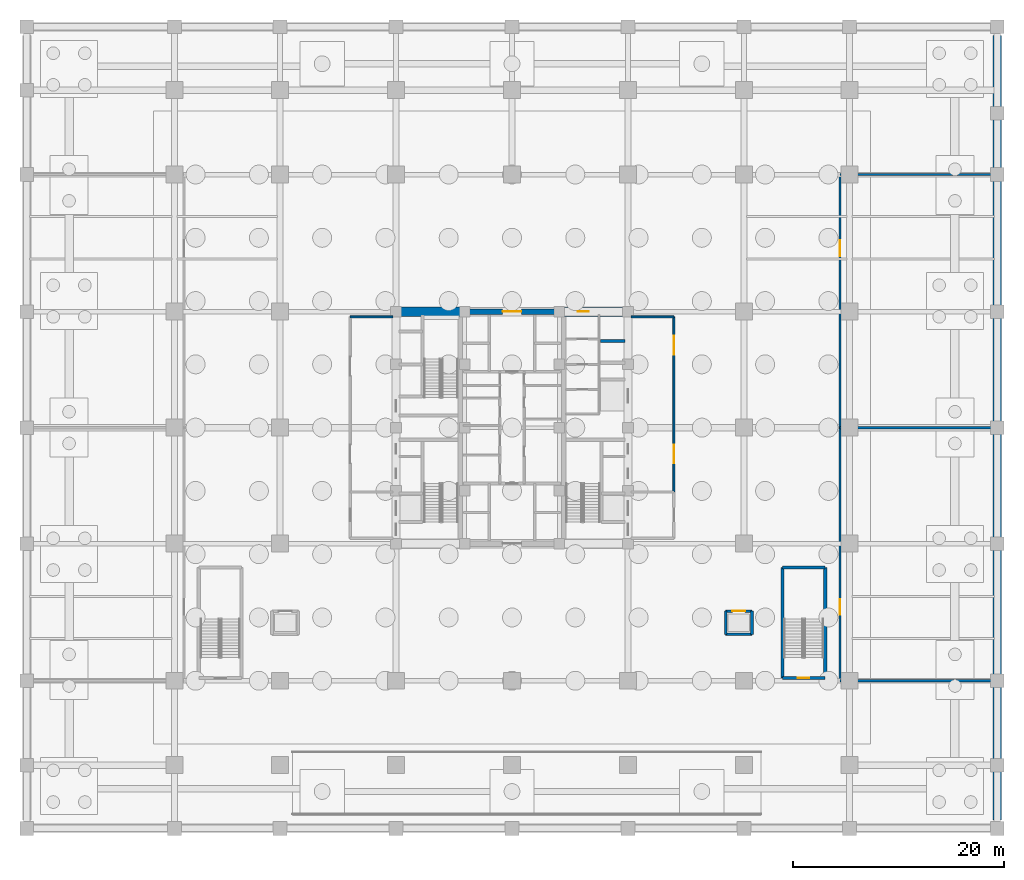
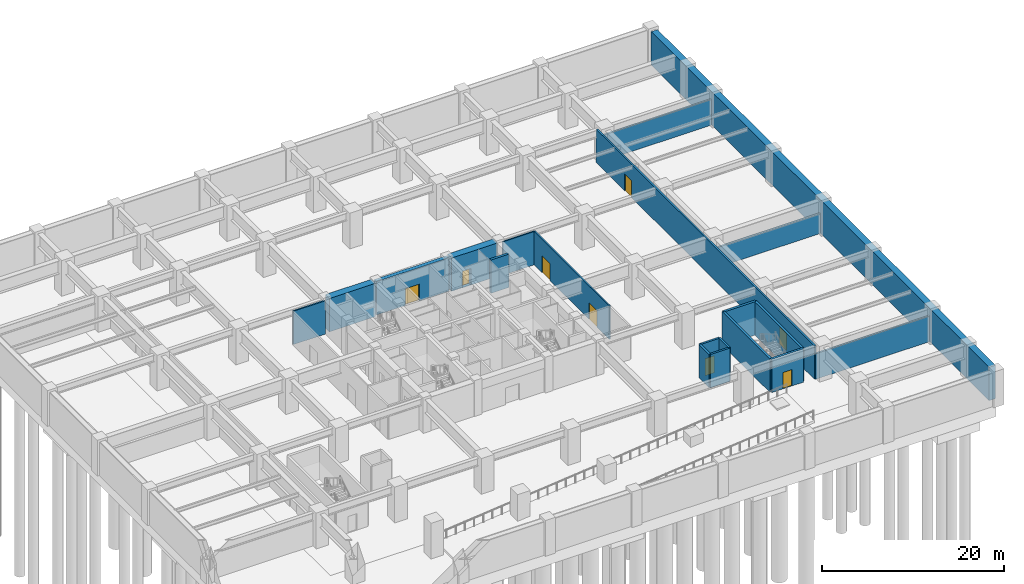
# One storey, part 7 of 13: 20 walls, 8 doors, 8 openings.
"""IFC4 building model written with IfcOpenShell, lengths in metres."""

from ifc_helpers import new_model, si_unit, direction, frame, frame_2d, origin, place, context, subcontext, project, spatial, rectangle, extrude, source, transform, mapped, material, layer, layer_set, type_object, element, fill, save


model = new_model("IFC4")

# Units and contexts
model_context = context("Model", 3, precision=1e-05, world=origin(), true_north=direction((0.0, 1.0)))
body_context = subcontext(model_context, "Body", "Model", "MODEL_VIEW")
ifc_project = project(units=[si_unit("LENGTHUNIT", "METRE"), si_unit("AREAUNIT", "SQUARE_METRE"), si_unit("VOLUMEUNIT", "CUBIC_METRE"), si_unit("PLANEANGLEUNIT", "RADIAN"), si_unit("MASSUNIT", "GRAM", prefix="KILO")], contexts=[model_context])

# Site, building, storey
site_placement = place(None, origin())
site = spatial("IfcSite", under=ifc_project, at=site_placement, CompositionType="ELEMENT")
building_placement = place(site_placement, origin())
building = spatial("IfcBuilding", under=site, at=building_placement, Name="Khorayat Bourse Tower", CompositionType="ELEMENT")
storey_placement = place(building_placement, frame((0.0, 0.0, -9.60009765625)))
storey = spatial("IfcBuildingStorey", under=building, at=storey_placement, Name="B02", CompositionType="ELEMENT", Elevation=-9.60009765625)

# Walls
ifc_material_1 = material(Name="Concrete C50/60", Category="concrete")
ifc_layer_1 = layer(ifc_material_1, 0.800048828125)
ifc_layer_set_1 = layer_set([ifc_layer_1], Name="Concrete C50/60")
wall_type_1 = type_object("IfcWallType", Name="WAL-RET-800", PredefinedType="USERDEFINED", material=ifc_layer_set_1)
shared_shape_1 = source(origin(), body_context, "Body", "SweptSolid", [
    extrude(rectangle(XDim=74.39990234375, YDim=0.800048828125, at=frame_2d((37.199951171875, 0.0))), origin(), (0.0, 0.0, 1.0), 4.47998046875),
])
wall_1_placement = place(storey_placement, frame((46.0, -37.199951171875, 0.0), z_axis=(0.0, 0.0, 1.0), x_axis=(0.0, 1.0, 0.0)))
element("IfcWall", 1, at=wall_1_placement, inside=storey, type_object=wall_type_1, Name="B02 Perimeter Retaining Wall E", ObjectType="RETAINING WALL", PredefinedType="USERDEFINED", context=body_context, shape_type="MappedRepresentation", body=[
    mapped(shared_shape_1, transform((0.0, 0.0, 0.0), scale=1.0)),
])
ifc_material_2 = material(Name="Concrete C72/90", Category="concrete")
ifc_layer_2 = layer(ifc_material_2, 0.89990234375)
ifc_layer_set_2 = layer_set([ifc_layer_2], Name="Concrete C72/90")
wall_type_2 = type_object("IfcWallType", Name="WAL-CORE-900", PredefinedType="SHEAR", material=ifc_layer_set_2)
shared_shape_2 = source(origin(), body_context, "Body", "SweptSolid", [
    extrude(rectangle(XDim=5.849853515625, YDim=0.89990234375, at=frame_2d((2.9248046875, 0.0))), origin(), (0.0, 0.0, 1.0), 4.47998046875),
])
wall_2_placement = place(storey_placement, frame((-10.699951171875, 11.0, 0.0), z_axis=(0.0, 0.0, 1.0), x_axis=(1.0, 0.0, 0.0)))
element("IfcWall", 2, at=wall_2_placement, inside=storey, type_object=wall_type_2, Name="B02 Core Shear Wall PIER-WN", PredefinedType="SHEAR", context=body_context, shape_type="MappedRepresentation", body=[
    mapped(shared_shape_2, transform((0.0, 0.0, 0.0), scale=1.0)),
])

# Wall, opening, door
wall_3_placement = place(storey_placement, frame((4.85009765625, 11.0, 0.0), z_axis=(0.0, 0.0, 1.0), x_axis=(1.0, 0.0, 0.0)))
wall_3 = element("IfcWall", 3, at=wall_3_placement, inside=storey, type_object=wall_type_2, Name="B02 Core Shear Wall PIER-EN", PredefinedType="SHEAR", context=body_context, shape_type="MappedRepresentation", body=[
    mapped(shared_shape_2, transform((0.0, 0.0, 0.0), scale=1.0)),
])
shared_shape_3 = source(origin(), body_context, "Body", "SweptSolid", [
    extrude(rectangle(XDim=1.050048828125, YDim=2.199951171875, at=frame_2d((0.52490234375, 1.10009765625))), frame((0.0, 0.4599609375, 0.0), z_axis=(0.0, -1.0, 0.0), x_axis=(1.0, 0.0, 0.0)), (0.0, 0.0, 1.0), 0.919921875),
])
opening_1_placement = place(wall_3_placement, frame((1.375, 0.0, 0.0)))
opening_1 = element("IfcOpeningElement", 4, at=opening_1_placement, cuts=wall_3, Name="Opening DI-04", PredefinedType="OPENING", context=body_context, shape_type="MappedRepresentation", body=[
    mapped(shared_shape_3, transform((0.0, 0.0, 0.0), scale=1.0)),
])
ifc_material_3 = material(Name="Fire-rated oak veneer suite entrance door")
door_type_1 = type_object("IfcDoorType", Name="DR-INT-SUITE-1050", OperationType="NOTDEFINED", PredefinedType="DOOR", material=ifc_material_3)
shared_shape_4 = source(origin(), body_context, "Body", "SweptSolid", [
    extrude(rectangle(XDim=1.050048828125, YDim=2.199951171875, at=frame_2d((0.52490234375, 1.10009765625))), frame((0.0, 0.02490234375, 0.0), z_axis=(0.0, -1.0, 0.0), x_axis=(1.0, 0.0, 0.0)), (0.0, 0.0, 1.0), 0.050048828125),
])
door_1_placement = place(opening_1_placement, origin())
door_1 = element("IfcDoor", 5, at=door_1_placement, inside=storey, type_object=door_type_1, Name="B02 Core Washroom Lobby Door", OperationType="SINGLE_SWING_LEFT", OverallHeight=2.199951171875, OverallWidth=1.050048828125, PredefinedType="DOOR", context=body_context, shape_type="MappedRepresentation", body=[
    mapped(shared_shape_4, transform((0.0, 0.0, 0.0), scale=1.0)),
])
fill(opening_1, door_1)

ifc_material_4 = material(Name="Concrete C52/65", Category="concrete")
ifc_layer_3 = layer(ifc_material_4, 0.5)
ifc_layer_set_3 = layer_set([ifc_layer_3], Name="Concrete C52/65")
wall_type_3 = type_object("IfcWallType", Name="WAL-CORE-500", PredefinedType="SHEAR", material=ifc_layer_set_3)
shared_shape_5 = source(origin(), body_context, "Body", "SweptSolid", [
    extrude(rectangle(XDim=9.2001953125, YDim=0.5, at=frame_2d((4.60009765625, 0.0))), origin(), (0.0, 0.0, 1.0), 4.47998046875),
])
wall_4_placement = place(storey_placement, frame((-4.60009765625, 11.0, 0.0), z_axis=(0.0, 0.0, 1.0), x_axis=(1.0, 0.0, 0.0)))
wall_4 = element("IfcWall", 6, at=wall_4_placement, inside=storey, type_object=wall_type_3, Name="B02 Core Shear Wall CORE-N", PredefinedType="SHEAR", context=body_context, shape_type="MappedRepresentation", body=[
    mapped(shared_shape_5, transform((0.0, 0.0, 0.0), scale=1.0)),
])
shared_shape_6 = source(origin(), body_context, "Body", "SweptSolid", [
    extrude(rectangle(XDim=1.800048828125, YDim=2.25, at=frame_2d((0.89990234375, 1.125))), frame((0.0, 0.260009765625, 0.0), z_axis=(0.0, -1.0, 0.0), x_axis=(1.0, 0.0, 0.0)), (0.0, 0.0, 1.0), 0.52001953125),
])
opening_2_placement = place(wall_4_placement, frame((3.699951171875, 0.0, 0.0)))
opening_2 = element("IfcOpeningElement", 7, at=opening_2_placement, cuts=wall_4, Name="Opening DI-03", PredefinedType="OPENING", context=body_context, shape_type="MappedRepresentation", body=[
    mapped(shared_shape_6, transform((0.0, 0.0, 0.0), scale=1.0)),
])
ifc_material_5 = material(Name="Fire-rated hardwood vision-panel double leaf", Category="wood")
door_type_2 = type_object("IfcDoorType", Name="DR-INT-CORR-1800", OperationType="NOTDEFINED", PredefinedType="DOOR", material=ifc_material_5)
shared_shape_7 = source(origin(), body_context, "Body", "SweptSolid", [
    extrude(rectangle(XDim=1.800048828125, YDim=2.25, at=frame_2d((0.89990234375, 1.125))), frame((0.0, 0.02490234375, 0.0), z_axis=(0.0, -1.0, 0.0), x_axis=(1.0, 0.0, 0.0)), (0.0, 0.0, 1.0), 0.050048828125),
])
door_2_placement = place(opening_2_placement, origin())
door_2 = element("IfcDoor", 8, at=door_2_placement, inside=storey, type_object=door_type_2, Name="B02 Mid-Rise Lift Lobby Door", OperationType="SINGLE_SWING_RIGHT", OverallHeight=2.25, OverallWidth=1.800048828125, PredefinedType="DOOR", context=body_context, shape_type="MappedRepresentation", body=[
    mapped(shared_shape_7, transform((0.0, 0.0, 0.0), scale=1.0)),
])
fill(opening_2, door_2)

# Walls
ifc_layer_4 = layer(ifc_material_1, 0.300048828125)
ifc_layer_set_4 = layer_set([ifc_layer_4], Name="Concrete C50/60")
wall_type_4 = type_object("IfcWallType", Name="WAL-SHAFT-300", PredefinedType="SHEAR", material=ifc_layer_set_4)
shared_shape_8 = source(origin(), body_context, "Body", "SweptSolid", [
    extrude(rectangle(XDim=2.300048828125, YDim=0.300048828125, at=frame_2d((1.14990234375, 0.0))), origin(), (0.0, 0.0, 1.0), 4.47998046875),
])
wall_5_placement = place(storey_placement, frame((8.39990234375, 8.199951171875, 0.0), z_axis=(0.0, 0.0, 1.0), x_axis=(1.0, 0.0, 0.0)))
element("IfcWall", 9, at=wall_5_placement, inside=storey, type_object=wall_type_4, Name="B02 Partition WAL-B02-EPIER-H34", PredefinedType="SHEAR", context=body_context, shape_type="MappedRepresentation", body=[
    mapped(shared_shape_8, transform((0.0, 0.0, 0.0), scale=1.0)),
])
ifc_material_6 = material(Name="Gypsum plasterboard acoustic stud wall")
ifc_layer_5 = layer(ifc_material_6, 0.179931640625)
ifc_layer_set_5 = layer_set([ifc_layer_5], Name="Gypsum plasterboard acoustic stud wall")
wall_type_5 = type_object("IfcWallType", Name="WAL-PART-CORR-180", PredefinedType="PARTITIONING", material=ifc_layer_set_5)
shared_shape_9 = source(origin(), body_context, "Body", "SweptSolid", [
    extrude(rectangle(XDim=4.050048828125, YDim=0.179931640625, at=frame_2d((2.02490234375, 0.0))), origin(), (0.0, 0.0, 1.0), 4.47998046875),
])
for number, where, z_axis, x_axis, name in (
    (10, (-15.35009765625, 10.5, 0.0), (0.0, 0.0, 1.0), (1.0, 0.0, 0.0), "B02 Partition WAL-B02-WLOB-N"),
    (11, (11.300048828125, 10.5, 0.0), (0.0, 0.0, 1.0), (1.0, 0.0, 0.0), "B02 Partition WAL-B02-ELOB-N"),
):
    element("IfcWall", number, at=place(storey_placement, frame(where, z_axis=z_axis, x_axis=x_axis)), inside=storey, type_object=wall_type_5, Name=name, PredefinedType="PARTITIONING", context=body_context, shape_type="MappedRepresentation", body=[
        mapped(shared_shape_9, transform((0.0, 0.0, 0.0), scale=1.0)),
    ])

# Wall, openings, doors
shared_shape_10 = source(origin(), body_context, "Body", "SweptSolid", [
    extrude(rectangle(XDim=16.60009765625, YDim=0.179931640625, at=frame_2d((8.300048828125, 0.0))), origin(), (0.0, 0.0, 1.0), 4.47998046875),
])
wall_6_placement = place(storey_placement, frame((15.35009765625, -6.10009765625, 0.0), z_axis=(0.0, 0.0, 1.0), x_axis=(0.0, 1.0, 0.0)))
wall_6 = element("IfcWall", 12, at=wall_6_placement, inside=storey, type_object=wall_type_5, Name="B02 Partition WAL-B02-ELOB-E", PredefinedType="PARTITIONING", context=body_context, shape_type="MappedRepresentation", body=[
    mapped(shared_shape_10, transform((0.0, 0.0, 0.0), scale=1.0)),
])
shared_shape_11 = source(origin(), body_context, "Body", "SweptSolid", [
    extrude(rectangle(XDim=1.800048828125, YDim=2.25, at=frame_2d((0.89990234375, 1.125))), frame((0.0, 0.099853515625, 0.0), z_axis=(0.0, -1.0, 0.0), x_axis=(1.0, 0.0, 0.0)), (0.0, 0.0, 1.0), 0.199951171875),
])
opening_3_placement = place(wall_6_placement, frame((2.699951171875, 0.0, 0.0)))
opening_3 = element("IfcOpeningElement", 13, at=opening_3_placement, cuts=wall_6, Name="Opening DI-03", PredefinedType="OPENING", context=body_context, shape_type="MappedRepresentation", body=[
    mapped(shared_shape_11, transform((0.0, 0.0, 0.0), scale=1.0)),
])
opening_4_placement = place(wall_6_placement, frame((13.0, 0.0, 0.0)))
opening_4 = element("IfcOpeningElement", 14, at=opening_4_placement, cuts=wall_6, Name="Opening DI-03", PredefinedType="OPENING", context=body_context, shape_type="MappedRepresentation", body=[
    mapped(shared_shape_11, transform((0.0, 0.0, 0.0), scale=1.0)),
])
door_3_placement = place(opening_3_placement, origin())
door_3 = element("IfcDoor", 15, at=door_3_placement, inside=storey, type_object=door_type_2, Name="B02 East Core Lobby South Door", OperationType="SINGLE_SWING_RIGHT", OverallHeight=2.25, OverallWidth=1.800048828125, PredefinedType="DOOR", context=body_context, shape_type="MappedRepresentation", body=[
    mapped(shared_shape_7, transform((0.0, 0.0, 0.0), scale=1.0)),
])
fill(opening_3, door_3)
door_4_placement = place(opening_4_placement, origin())
door_4 = element("IfcDoor", 16, at=door_4_placement, inside=storey, type_object=door_type_2, Name="B02 East Core Lobby North Door", OperationType="SINGLE_SWING_LEFT", OverallHeight=2.25, OverallWidth=1.800048828125, PredefinedType="DOOR", context=body_context, shape_type="MappedRepresentation", body=[
    mapped(shared_shape_7, transform((0.0, 0.0, 0.0), scale=1.0)),
])
fill(opening_4, door_4)

# Wall, opening, door
shared_shape_12 = source(origin(), body_context, "Body", "SweptSolid", [
    extrude(rectangle(XDim=4.050048828125, YDim=0.300048828125, at=frame_2d((2.02490234375, 0.0))), origin(), (0.0, 0.0, 1.0), 4.47998046875),
])
wall_7_placement = place(storey_placement, frame((25.64990234375, -23.75, 0.0), z_axis=(0.0, 0.0, 1.0), x_axis=(1.0, 0.0, 0.0)))
wall_7 = element("IfcWall", 17, at=wall_7_placement, inside=storey, type_object=wall_type_4, Name="B02 Partition WAL-B02-STP2-S", PredefinedType="SHEAR", context=body_context, shape_type="MappedRepresentation", body=[
    mapped(shared_shape_12, transform((0.0, 0.0, 0.0), scale=1.0)),
])
shared_shape_13 = source(origin(), body_context, "Body", "SweptSolid", [
    extrude(rectangle(XDim=1.10009765625, YDim=2.199951171875, at=frame_2d((0.550048828125, 1.10009765625))), frame((0.0, 0.159912109375, 0.0), z_axis=(0.0, -1.0, 0.0), x_axis=(1.0, 0.0, 0.0)), (0.0, 0.0, 1.0), 0.320068359375),
])
opening_5_placement = place(wall_7_placement, frame((1.449951171875, 0.0, 0.0)))
opening_5 = element("IfcOpeningElement", 18, at=opening_5_placement, cuts=wall_7, Name="Opening DI-01", PredefinedType="OPENING", context=body_context, shape_type="MappedRepresentation", body=[
    mapped(shared_shape_13, transform((0.0, 0.0, 0.0), scale=1.0)),
])
ifc_material_7 = material(Name="Fire-rated steel acoustic leaf", Category="steel")
door_type_3 = type_object("IfcDoorType", Name="DR-INT-STAIR-1100", OperationType="NOTDEFINED", PredefinedType="DOOR", material=ifc_material_7)
shared_shape_14 = source(origin(), body_context, "Body", "SweptSolid", [
    extrude(rectangle(XDim=1.10009765625, YDim=2.199951171875, at=frame_2d((0.550048828125, 1.10009765625))), frame((0.0, 0.02490234375, 0.0), z_axis=(0.0, -1.0, 0.0), x_axis=(1.0, 0.0, 0.0)), (0.0, 0.0, 1.0), 0.050048828125),
])
door_5_placement = place(opening_5_placement, origin())
door_5 = element("IfcDoor", 19, at=door_5_placement, inside=storey, type_object=door_type_3, Name="B02 Podium Stair P2 Door", OperationType="SINGLE_SWING_LEFT", OverallHeight=2.199951171875, OverallWidth=1.10009765625, PredefinedType="DOOR", context=body_context, shape_type="MappedRepresentation", body=[
    mapped(shared_shape_14, transform((0.0, 0.0, 0.0), scale=1.0)),
])
fill(opening_5, door_5)

# Walls
wall_8_placement = place(storey_placement, frame((25.64990234375, -13.25, 0.0), z_axis=(0.0, 0.0, 1.0), x_axis=(1.0, 0.0, 0.0)))
element("IfcWall", 20, at=wall_8_placement, inside=storey, type_object=wall_type_4, Name="B02 Partition WAL-B02-STP2-N", PredefinedType="SHEAR", context=body_context, shape_type="MappedRepresentation", body=[
    mapped(shared_shape_12, transform((0.0, 0.0, 0.0), scale=1.0)),
])
shared_shape_15 = source(origin(), body_context, "Body", "SweptSolid", [
    extrude(rectangle(XDim=10.5, YDim=0.300048828125, at=frame_2d((5.25, 0.0))), origin(), (0.0, 0.0, 1.0), 4.47998046875),
])
for number, where, z_axis, x_axis, name in (
    (21, (25.64990234375, -23.75, 0.0), (0.0, 0.0, 1.0), (0.0, 1.0, 0.0), "B02 Partition WAL-B02-STP2-W"),
    (22, (29.699951171875, -23.75, 0.0), (0.0, 0.0, 1.0), (0.0, 1.0, 0.0), "B02 Partition WAL-B02-STP2-E"),
):
    element("IfcWall", number, at=place(storey_placement, frame(where, z_axis=z_axis, x_axis=x_axis)), inside=storey, type_object=wall_type_4, Name=name, PredefinedType="SHEAR", context=body_context, shape_type="MappedRepresentation", body=[
        mapped(shared_shape_15, transform((0.0, 0.0, 0.0), scale=1.0)),
    ])
shared_shape_16 = source(origin(), body_context, "Body", "SweptSolid", [
    extrude(rectangle(XDim=2.5, YDim=0.25, at=frame_2d((1.25, 0.0))), origin(), (0.0, 0.0, 1.0), 4.47998046875),
])
wall_9_placement = place(storey_placement, frame((20.25, -19.60009765625, 0.0), z_axis=(0.0, 0.0, 1.0), x_axis=(1.0, 0.0, 0.0)))
element("IfcWall", 23, at=wall_9_placement, inside=storey, type_object=wall_type_4, Name="B02 Partition WAL-B02-PLP2-S", PredefinedType="SHEAR", context=body_context, shape_type="MappedRepresentation", body=[
    mapped(shared_shape_16, transform((0.0, 0.0, 0.0), scale=1.0)),
])

# Wall, opening, door
wall_10_placement = place(storey_placement, frame((20.25, -17.39990234375, 0.0), z_axis=(0.0, 0.0, 1.0), x_axis=(1.0, 0.0, 0.0)))
wall_10 = element("IfcWall", 24, at=wall_10_placement, inside=storey, type_object=wall_type_4, Name="B02 Partition WAL-B02-PLP2-N", PredefinedType="SHEAR", context=body_context, shape_type="MappedRepresentation", body=[
    mapped(shared_shape_16, transform((0.0, 0.0, 0.0), scale=1.0)),
])
shared_shape_17 = source(origin(), body_context, "Body", "SweptSolid", [
    extrude(rectangle(XDim=1.199951171875, YDim=2.300048828125, at=frame_2d((0.60009765625, 1.14990234375))), frame((0.0, 0.135009765625, 0.0), z_axis=(0.0, -1.0, 0.0), x_axis=(1.0, 0.0, 0.0)), (0.0, 0.0, 1.0), 0.27001953125),
])
opening_6_placement = place(wall_10_placement, frame((0.64990234375, 0.0, 0.0)))
opening_6 = element("IfcOpeningElement", 25, at=opening_6_placement, cuts=wall_10, Name="Opening LD-01", PredefinedType="OPENING", context=body_context, shape_type="MappedRepresentation", body=[
    mapped(shared_shape_17, transform((0.0, 0.0, 0.0), scale=1.0)),
])
ifc_material_8 = material(Name="Brushed bronze stainless-steel sliding door", Category="steel")
door_type_4 = type_object("IfcDoorType", Name="DR-LIFT-PASS-1200", OperationType="NOTDEFINED", PredefinedType="DOOR", material=ifc_material_8)
shared_shape_18 = source(origin(), body_context, "Body", "SweptSolid", [
    extrude(rectangle(XDim=1.199951171875, YDim=2.300048828125, at=frame_2d((0.60009765625, 1.14990234375))), frame((0.0, 0.02490234375, 0.0), z_axis=(0.0, -1.0, 0.0), x_axis=(1.0, 0.0, 0.0)), (0.0, 0.0, 1.0), 0.050048828125),
])
door_6_placement = place(opening_6_placement, origin())
door_6 = element("IfcDoor", 26, at=door_6_placement, inside=storey, type_object=door_type_4, Name="B02 Lift PL-P2 Sliding Landing Door", OperationType="SLIDING_TO_LEFT", OverallHeight=2.300048828125, OverallWidth=1.199951171875, PredefinedType="DOOR", context=body_context, shape_type="MappedRepresentation", body=[
    mapped(shared_shape_18, transform((0.0, 0.0, 0.0), scale=1.0)),
])
fill(opening_6, door_6)

# Walls
shared_shape_19 = source(origin(), body_context, "Body", "SweptSolid", [
    extrude(rectangle(XDim=2.2001953125, YDim=0.25, at=frame_2d((1.10009765625, 0.0))), origin(), (0.0, 0.0, 1.0), 4.47998046875),
])
for number, where, z_axis, x_axis, name in (
    (27, (20.25, -19.60009765625, 0.0), (0.0, 0.0, 1.0), (0.0, 1.0, 0.0), "B02 Partition WAL-B02-PLP2-W"),
    (28, (22.75, -19.60009765625, 0.0), (0.0, 0.0, 1.0), (0.0, 1.0, 0.0), "B02 Partition WAL-B02-PLP2-E"),
):
    element("IfcWall", number, at=place(storey_placement, frame(where, z_axis=z_axis, x_axis=x_axis)), inside=storey, type_object=wall_type_4, Name=name, PredefinedType="SHEAR", context=body_context, shape_type="MappedRepresentation", body=[
        mapped(shared_shape_19, transform((0.0, 0.0, 0.0), scale=1.0)),
    ])
ifc_material_9 = material(Name="Aerated concrete blockwork", Category="masonry")
ifc_layer_6 = layer(ifc_material_9, 0.219970703125)
ifc_layer_set_6 = layer_set([ifc_layer_6], Name="Aerated concrete blockwork")
wall_type_6 = type_object("IfcWallType", Name="WAL-PART-FF-220", PredefinedType="PARTITIONING", material=ifc_layer_set_6)
shared_shape_20 = source(origin(), body_context, "Body", "SweptSolid", [
    extrude(rectangle(XDim=14.699951171875, YDim=0.219970703125, at=frame_2d((7.35009765625, 0.0))), origin(), (0.0, 0.0, 1.0), 2.68017578125),
])
wall_11_placement = place(storey_placement, frame((31.10009765625, 0.0, 0.0), z_axis=(0.0, 0.0, 1.0), x_axis=(1.0, 0.0, 0.0)))
element("IfcWall", 29, at=wall_11_placement, inside=storey, type_object=wall_type_6, Name="B02 Partition WAL-B02-BE-DIV-1", PredefinedType="PARTITIONING", context=body_context, shape_type="MappedRepresentation", body=[
    mapped(shared_shape_20, transform((0.0, 0.0, 0.0), scale=1.0)),
])

# Wall, openings, doors
shared_shape_21 = source(origin(), body_context, "Body", "SweptSolid", [
    extrude(rectangle(XDim=48.0, YDim=0.219970703125, at=frame_2d((24.0, 0.0))), origin(), (0.0, 0.0, 1.0), 4.47998046875),
])
wall_12_placement = place(storey_placement, frame((31.10009765625, -24.0, 0.0), z_axis=(0.0, 0.0, 1.0), x_axis=(0.0, 1.0, 0.0)))
wall_12 = element("IfcWall", 30, at=wall_12_placement, inside=storey, type_object=wall_type_6, Name="B02 Partition WAL-B02-BE-W", PredefinedType="PARTITIONING", context=body_context, shape_type="MappedRepresentation", body=[
    mapped(shared_shape_21, transform((0.0, 0.0, 0.0), scale=1.0)),
])
shared_shape_22 = source(origin(), body_context, "Body", "SweptSolid", [
    extrude(rectangle(XDim=1.5, YDim=2.300048828125, at=frame_2d((0.75, 1.14990234375))), frame((0.0, 0.119873046875, 0.0), z_axis=(0.0, -1.0, 0.0), x_axis=(1.0, 0.0, 0.0)), (0.0, 0.0, 1.0), 0.239990234375),
])
opening_7_placement = place(wall_12_placement, frame((6.25, 0.0, 0.0)))
opening_7 = element("IfcOpeningElement", 31, at=opening_7_placement, cuts=wall_12, Name="Opening DI-07", PredefinedType="OPENING", context=body_context, shape_type="MappedRepresentation", body=[
    mapped(shared_shape_22, transform((0.0, 0.0, 0.0), scale=1.0)),
])
opening_8_placement = place(wall_12_placement, frame((40.25, 0.0, 0.0)))
opening_8 = element("IfcOpeningElement", 32, at=opening_8_placement, cuts=wall_12, Name="Opening DI-07", PredefinedType="OPENING", context=body_context, shape_type="MappedRepresentation", body=[
    mapped(shared_shape_22, transform((0.0, 0.0, 0.0), scale=1.0)),
])
ifc_material_10 = material(Name="Louvred fire-rated steel plant double door", Category="steel")
door_type_5 = type_object("IfcDoorType", Name="DR-INT-PLANT-1500", OperationType="NOTDEFINED", PredefinedType="DOOR", material=ifc_material_10)
shared_shape_23 = source(origin(), body_context, "Body", "SweptSolid", [
    extrude(rectangle(XDim=1.5, YDim=2.300048828125, at=frame_2d((0.75, 1.14990234375))), frame((0.0, 0.02490234375, 0.0), z_axis=(0.0, -1.0, 0.0), x_axis=(1.0, 0.0, 0.0)), (0.0, 0.0, 1.0), 0.050048828125),
])
door_7_placement = place(opening_7_placement, origin())
door_7 = element("IfcDoor", 33, at=door_7_placement, inside=storey, type_object=door_type_5, Name="B02 Primary Chilled Water Plant Room Door", OperationType="SINGLE_SWING_LEFT", OverallHeight=2.300048828125, OverallWidth=1.5, PredefinedType="DOOR", context=body_context, shape_type="MappedRepresentation", body=[
    mapped(shared_shape_23, transform((0.0, 0.0, 0.0), scale=1.0)),
])
fill(opening_7, door_7)
door_8_placement = place(opening_8_placement, origin())
door_8 = element("IfcDoor", 34, at=door_8_placement, inside=storey, type_object=door_type_5, Name="B02 Emergency Generator and Switchgear Plant Room Door", OperationType="SINGLE_SWING_RIGHT", OverallHeight=2.300048828125, OverallWidth=1.5, PredefinedType="DOOR", context=body_context, shape_type="MappedRepresentation", body=[
    mapped(shared_shape_23, transform((0.0, 0.0, 0.0), scale=1.0)),
])
fill(opening_8, door_8)

# Walls
shared_shape_24 = source(origin(), body_context, "Body", "SweptSolid", [
    extrude(rectangle(XDim=14.699951171875, YDim=0.219970703125, at=frame_2d((7.35009765625, 0.0))), origin(), (0.0, 0.0, 1.0), 3.444091796875),
])
for number, where, z_axis, x_axis, name in (
    (35, (31.10009765625, -24.0, 0.0), (0.0, 0.0, 1.0), (1.0, 0.0, 0.0), "B02 Partition WAL-B02-BE-S"),
    (36, (31.10009765625, 24.0, 0.0), (0.0, 0.0, 1.0), (1.0, 0.0, 0.0), "B02 Partition WAL-B02-BE-N"),
):
    element("IfcWall", number, at=place(storey_placement, frame(where, z_axis=z_axis, x_axis=x_axis)), inside=storey, type_object=wall_type_6, Name=name, PredefinedType="PARTITIONING", context=body_context, shape_type="MappedRepresentation", body=[
        mapped(shared_shape_24, transform((0.0, 0.0, 0.0), scale=1.0)),
    ])

save(model, "model.ifc")
